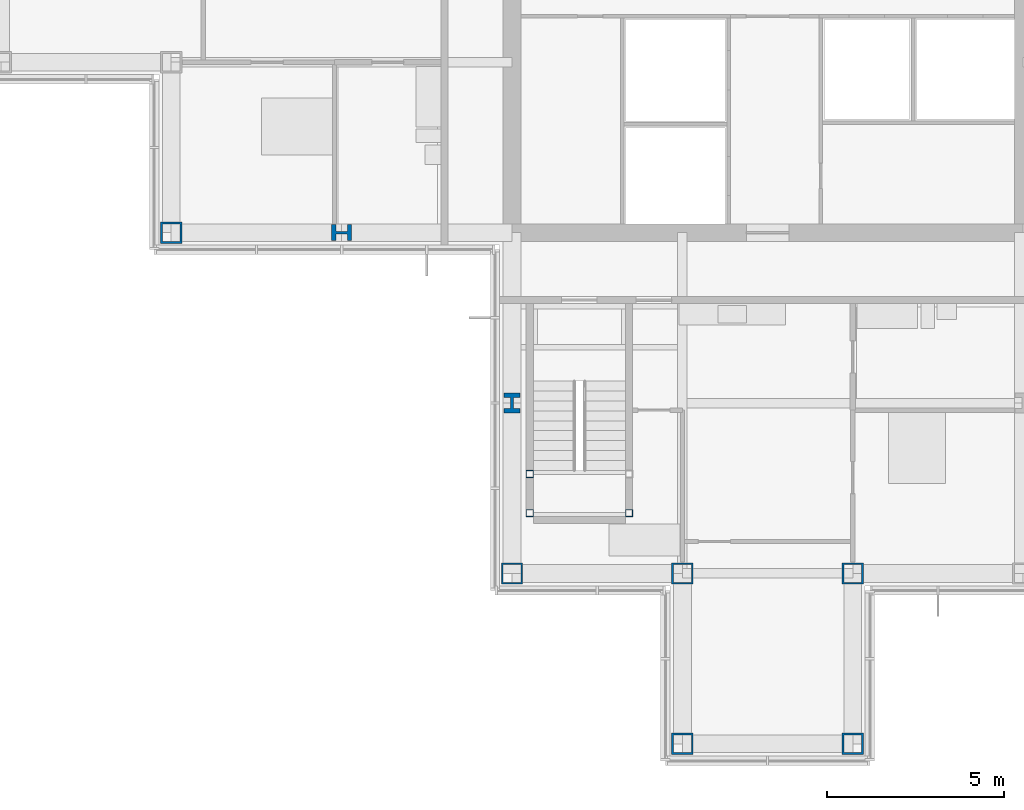
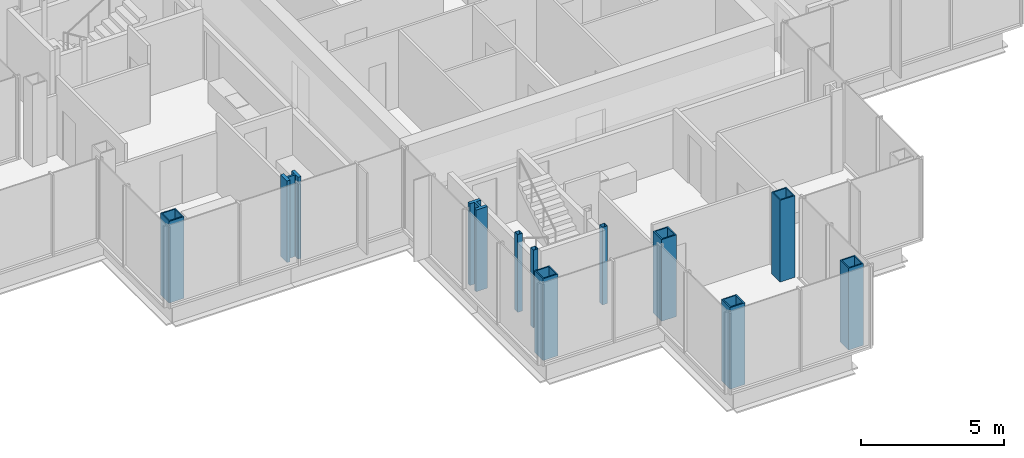
# One storey, part 1 of 15: 11 columns.
"""IFC4 building model written with IfcOpenShell, lengths in metres."""

from ifc_helpers import new_model, si_unit, direction, frame, origin, origin_2d, place, context, subcontext, project, spatial, hollow_rectangle, i_section, extrude, material, material_profile, profile_set, type_object, element, save


model = new_model("IFC4")

# Units and contexts
model_context = context("Model", 3, precision=1e-05, world=origin(), true_north=direction((0.0, 1.0)))
body_context = subcontext(model_context, "Body", "Model", "MODEL_VIEW")
ifc_project = project(units=[si_unit("LENGTHUNIT", "METRE"), si_unit("AREAUNIT", "SQUARE_METRE"), si_unit("VOLUMEUNIT", "CUBIC_METRE"), si_unit("PLANEANGLEUNIT", "RADIAN"), si_unit("MASSUNIT", "GRAM", prefix="KILO")], contexts=[model_context])

# Site, building, storey
site_placement = place(None, origin())
site = spatial("IfcSite", under=ifc_project, at=site_placement, CompositionType="ELEMENT")
building_placement = place(site_placement, origin())
building = spatial("IfcBuilding", under=site, at=building_placement, Name="Kvirike Care Tower", CompositionType="ELEMENT")
storey_placement = place(building_placement, frame((0.0, 0.0, 201.5)))
storey = spatial("IfcBuildingStorey", under=building, at=storey_placement, Name="L55", CompositionType="ELEMENT", Elevation=201.5)

# Columns
ifc_material_1 = material(Name="Steel S460", Category="steel")
ifc_material_profile_1 = material_profile(ifc_material_1, hollow_rectangle(XDim=0.60009765625, YDim=0.60009765625, WallThickness=0.050048828125, at=origin_2d()), Name="BX 600x600x50")
ifc_profile_set_1 = profile_set([ifc_material_profile_1], Name="Steel S460")
column_type_1 = type_object("IfcColumnType", Name="COLUMN BX 600x600x50", PredefinedType="COLUMN", material=ifc_profile_set_1)
for number, where, z_axis, x_axis, name in (
    (1, (4.800048828125, 28.800048828125, 0.0), (0.0, 0.0, 1.0), (0.0, 1.0, 0.0), "Column G4 L55"),
    (2, (14.39990234375, 19.199951171875, 0.0), (0.0, 0.0, 1.0), (0.0, 1.0, 0.0), "Column E6 L55"),
    (3, (19.199951171875, 14.39990234375, 0.0), (0.0, 0.0, 1.0), (0.0, 1.0, 0.0), "Column D7 L55"),
    (4, (19.199951171875, 19.199951171875, 0.0), (0.0, 0.0, 1.0), (0.0, 1.0, 0.0), "Column E7 L55"),
    (5, (24.0, 14.39990234375, 0.0), (0.0, 0.0, 1.0), (0.0, 1.0, 0.0), "Column D8 L55"),
    (6, (24.0, 19.199951171875, 0.0), (0.0, 0.0, 1.0), (0.0, 1.0, 0.0), "Column E8 L55"),
):
    element("IfcColumn", number, at=place(storey_placement, frame(where, z_axis=z_axis, x_axis=x_axis)), inside=storey, type_object=column_type_1, Name=name, PredefinedType="COLUMN", context=body_context, shape_type="SweptSolid", body=[
        extrude(hollow_rectangle(XDim=0.60009765625, YDim=0.60009765625, WallThickness=0.050048828125, at=origin_2d()), origin(), (0.0, 0.0, 1.0), 3.5),
    ])
ifc_material_2 = material(Name="Steel S460", Category="steel")
ifc_material_profile_2 = material_profile(ifc_material_2, i_section(OverallWidth=0.4541015625, OverallDepth=0.569091796875, WebThickness=0.077880859375, FlangeThickness=0.125, FilletRadius=0.014892578125, at=origin_2d()), Name="HD 400x1086")
ifc_profile_set_2 = profile_set([ifc_material_profile_2], Name="Steel S460")
column_type_2 = type_object("IfcColumnType", Name="COLUMN HD 400x1086", PredefinedType="COLUMN", material=ifc_profile_set_2)
for number, where, z_axis, x_axis, name in (
    (7, (9.60009765625, 28.800048828125, 0.0), (0.0, 0.0, 1.0), (0.0, 1.0, 0.0), "Column G5 L55"),
    (8, (14.39990234375, 24.0, 0.0), (0.0, 0.0, 1.0), (1.0, 0.0, 0.0), "Column F6 L55"),
):
    element("IfcColumn", number, at=place(storey_placement, frame(where, z_axis=z_axis, x_axis=x_axis)), inside=storey, type_object=column_type_2, Name=name, PredefinedType="COLUMN", context=body_context, shape_type="SweptSolid", body=[
        extrude(i_section(OverallWidth=0.4541015625, OverallDepth=0.569091796875, WebThickness=0.077880859375, FlangeThickness=0.125, FilletRadius=0.014892578125, at=origin_2d()), origin(), (0.0, 0.0, 1.0), 3.5),
    ])
ifc_material_3 = material(Name="Steel S460", Category="steel")
ifc_material_profile_3 = material_profile(ifc_material_3, hollow_rectangle(XDim=0.199951171875, YDim=0.199951171875, WallThickness=0.008056640625, at=origin_2d()), Name="SHS 200x200x8")
ifc_profile_set_3 = profile_set([ifc_material_profile_3], Name="Steel S460")
column_type_3 = type_object("IfcColumnType", Name="STAIR POST SHS 200x200x8", PredefinedType="COLUMN", material=ifc_profile_set_3)
for number, where, z_axis, x_axis, name in (
    (9, (14.89990234375, 20.89990234375, 0.0), (0.0, 0.0, 1.0), (1.0, 0.0, 0.0), "Stair 5 post 1 L55"),
    (10, (17.699951171875, 20.89990234375, 0.0), (0.0, 0.0, 1.0), (1.0, 0.0, 0.0), "Stair 5 post 2 L55"),
    (11, (14.89990234375, 22.0, 0.0), (0.0, 0.0, 1.0), (1.0, 0.0, 0.0), "Stair 5 post 3 L55"),
):
    element("IfcColumn", number, at=place(storey_placement, frame(where, z_axis=z_axis, x_axis=x_axis)), inside=storey, type_object=column_type_3, Name=name, PredefinedType="COLUMN", context=body_context, shape_type="SweptSolid", body=[
        extrude(hollow_rectangle(XDim=0.199951171875, YDim=0.199951171875, WallThickness=0.008056640625, at=origin_2d()), origin(), (0.0, 0.0, 1.0), 3.330078125),
    ])

save(model, "model.ifc")
